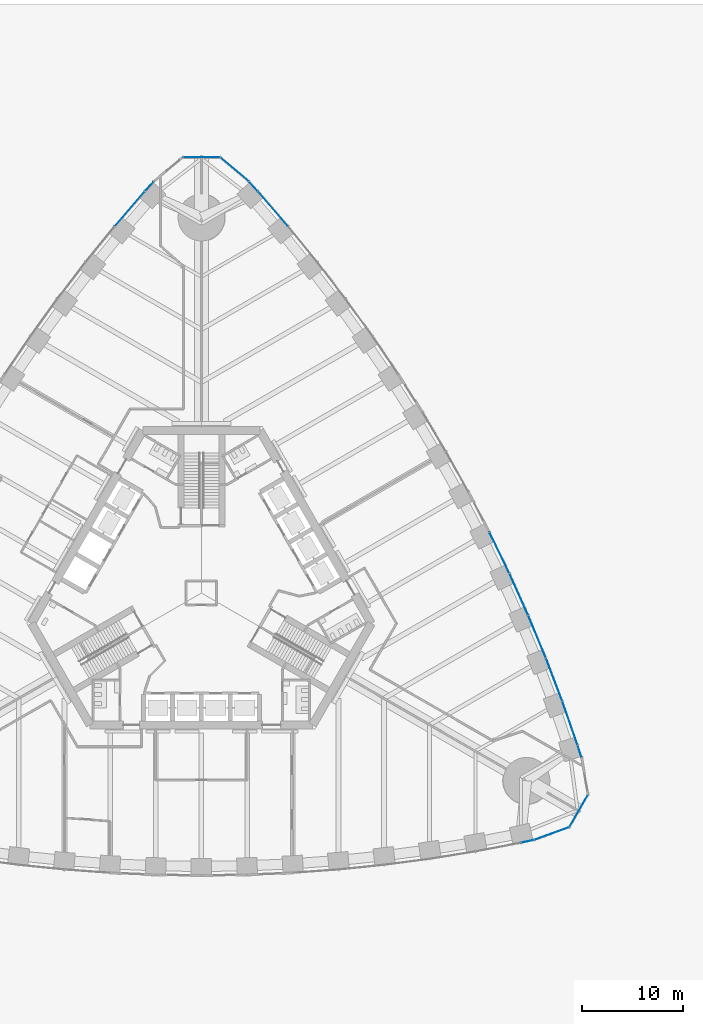
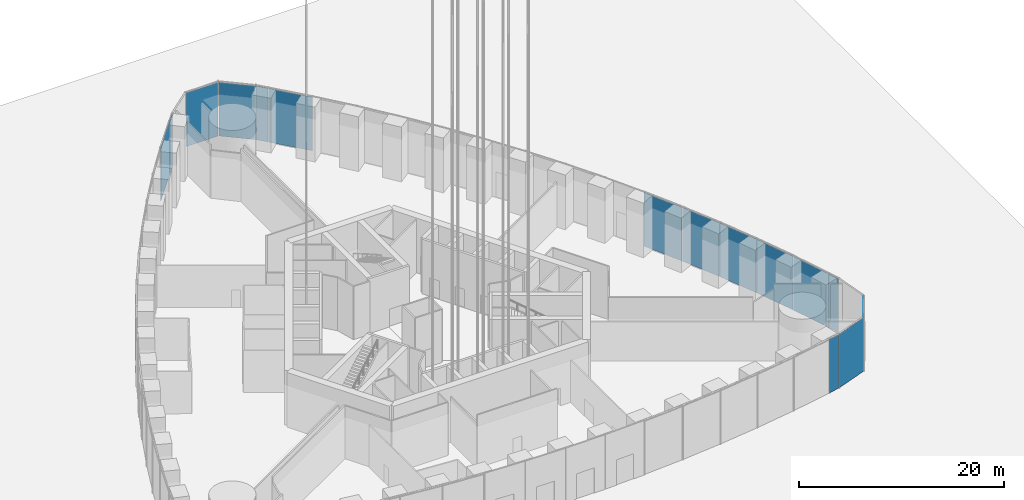
# One storey, part 15 of 43: 15 plates, 6 elements without a shape of their own.
"""IFC4 building model written with IfcOpenShell, lengths in metres."""

from ifc_helpers import new_model, si_unit, direction, frame, origin, origin_2d, place, context, subcontext, project, spatial, rectangle, extrude, material, layer, layer_set, type_object, element, aggregate, save


model = new_model("IFC4")

# Units and contexts
model_context = context("Model", 3, precision=1e-05, world=origin(), true_north=direction((0.0, 1.0)))
body_context = subcontext(model_context, "Body", "Model", "MODEL_VIEW")
ifc_project = project(units=[si_unit("LENGTHUNIT", "METRE"), si_unit("AREAUNIT", "SQUARE_METRE"), si_unit("VOLUMEUNIT", "CUBIC_METRE"), si_unit("PLANEANGLEUNIT", "RADIAN"), si_unit("MASSUNIT", "GRAM", prefix="KILO")], contexts=[model_context])

# Site, building, storey
site_placement = place(None, origin())
site = spatial("IfcSite", under=ifc_project, at=site_placement, CompositionType="ELEMENT")
building_placement = place(site_placement, origin())
building = spatial("IfcBuilding", under=site, at=building_placement, Name="Trefoil Bronze Tower", CompositionType="ELEMENT")
storey_placement = place(building_placement, origin())
storey = spatial("IfcBuildingStorey", under=building, at=storey_placement, Name="L00", CompositionType="ELEMENT", Elevation=0.0)

# Curtain wall, plate
ifc_material_1 = material(Name="Tinted solar-control glass", Category="glass")
curtain_wall_type_1 = type_object("IfcCurtainWallType", Name="Bronze podium storefront curtain wall", PredefinedType="USERDEFINED", material=ifc_material_1)
curtain_wall_1_placement = place(storey_placement, origin())
curtain_wall_1 = element("IfcCurtainWall", 1, at=curtain_wall_1_placement, inside=storey, type_object=curtain_wall_type_1, Name="CW-C L00 F1 run 6", ObjectType="CURTAIN WALL", PredefinedType="USERDEFINED")
ifc_material_2 = material(Name="Tinted solar-control glass", Category="glass")
ifc_layer_1 = layer(ifc_material_2, 0.030029296875)
ifc_layer_set_1 = layer_set([ifc_layer_1], Name="Bronze podium storefront curtain wall glass panel")
plate_type_1 = type_object("IfcPlateType", Name="Bronze podium storefront curtain wall glass panel", PredefinedType="CURTAIN_PANEL", material=ifc_layer_set_1)
plate_1_placement = place(storey_placement, frame((32.15185546875, -24.480224609375, 0.0), z_axis=(0.0, 0.0, 1.0), x_axis=(0.978302717041, 0.207180582657, 0.0)))
plate_1 = element("IfcPlate", 2, at=plate_1_placement, type_object=plate_type_1, Name="CW-C L00 F1 run 6 panel 6", PredefinedType="CURTAIN_PANEL", context=body_context, shape_type="SweptSolid", body=[
    extrude(rectangle(XDim=1.23046875, YDim=0.030029296875, at=origin_2d()), origin(), (0.0, 0.0, 1.0), 6.3798828125),
])
aggregate(curtain_wall_1, [plate_1])

# Curtain wall, plates
curtain_wall_2_placement = place(storey_placement, origin())
curtain_wall_2 = element("IfcCurtainWall", 3, at=curtain_wall_2_placement, inside=storey, type_object=curtain_wall_type_1, Name="CW-C L00 F2 run 1", ObjectType="CURTAIN WALL", PredefinedType="USERDEFINED")
plate_2_placement = place(storey_placement, frame((37.2763671875, -15.604248046875, 0.0), z_axis=(0.0, 0.0, 1.0), x_axis=(-0.309727710769, 0.950825296877, 0.0)))
plate_2 = element("IfcPlate", 4, at=plate_2_placement, type_object=plate_type_1, Name="CW-C L00 F2 run 1 panel 1", PredefinedType="CURTAIN_PANEL", context=body_context, shape_type="SweptSolid", body=[
    extrude(rectangle(XDim=1.23046875, YDim=0.030029296875, at=origin_2d()), origin(), (0.0, 0.0, 1.0), 6.3798828125),
])
plate_3_placement = place(storey_placement, frame((36.3251953125, -12.824462890625, 0.0), z_axis=(0.0, 0.0, 1.0), x_axis=(-0.327673732984, 0.944790942332, 0.0)))
plate_3 = element("IfcPlate", 5, at=plate_3_placement, type_object=plate_type_1, Name="CW-C L00 F2 run 1 panel 2", PredefinedType="CURTAIN_PANEL", context=body_context, shape_type="SweptSolid", body=[
    extrude(rectangle(XDim=4.522216796875, YDim=0.030029296875, at=origin_2d()), origin(), (0.0, 0.0, 1.0), 6.3798828125),
])
plate_4_placement = place(storey_placement, frame((34.763427734375, -8.526611328125, 0.0), z_axis=(0.0, 0.0, 1.0), x_axis=(-0.355370585687, 0.934725492767, 0.0)))
plate_4 = element("IfcPlate", 6, at=plate_4_placement, type_object=plate_type_1, Name="CW-C L00 F2 run 1 panel 3", PredefinedType="CURTAIN_PANEL", context=body_context, shape_type="SweptSolid", body=[
    extrude(rectangle(XDim=4.49853515625, YDim=0.030029296875, at=origin_2d()), origin(), (0.0, 0.0, 1.0), 6.3798828125),
])
plate_5_placement = place(storey_placement, frame((33.084228515625, -4.296630859375, 0.0), z_axis=(0.0, 0.0, 1.0), x_axis=(-0.382629580712, 0.923901836758, 0.0)))
plate_5 = element("IfcPlate", 7, at=plate_5_placement, type_object=plate_type_1, Name="CW-C L00 F2 run 1 panel 4", PredefinedType="CURTAIN_PANEL", context=body_context, shape_type="SweptSolid", body=[
    extrude(rectangle(XDim=4.478759765625, YDim=0.030029296875, at=origin_2d()), origin(), (0.0, 0.0, 1.0), 6.3798828125),
])
plate_6_placement = place(storey_placement, frame((31.28857421875, -0.1337890625, 0.0), z_axis=(0.0, 0.0, 1.0), x_axis=(-0.40945635808, 0.912329705111, 0.0)))
plate_6 = element("IfcPlate", 8, at=plate_6_placement, type_object=plate_type_1, Name="CW-C L00 F2 run 1 panel 5", PredefinedType="CURTAIN_PANEL", context=body_context, shape_type="SweptSolid", body=[
    extrude(rectangle(XDim=4.46337890625, YDim=0.030029296875, at=origin_2d()), origin(), (0.0, 0.0, 1.0), 6.3798828125),
])
plate_7_placement = place(storey_placement, frame((29.3779296875, 3.962646484375, 0.0), z_axis=(0.0, 0.0, 1.0), x_axis=(-0.4358553457, 0.900016731858, 0.0)))
plate_7 = element("IfcPlate", 9, at=plate_7_placement, type_object=plate_type_1, Name="CW-C L00 F2 run 1 panel 6", PredefinedType="CURTAIN_PANEL", context=body_context, shape_type="SweptSolid", body=[
    extrude(rectangle(XDim=4.451904296875, YDim=0.030029296875, at=origin_2d()), origin(), (0.0, 0.0, 1.0), 6.3798828125),
])
aggregate(curtain_wall_2, [plate_2, plate_3, plate_4, plate_5, plate_6, plate_7])

curtain_wall_3_placement = place(storey_placement, origin())
curtain_wall_3 = element("IfcCurtainWall", 10, at=curtain_wall_3_placement, inside=storey, type_object=curtain_wall_type_1, Name="CW-C L00 F2 run 5", ObjectType="CURTAIN WALL", PredefinedType="USERDEFINED")
plate_8_placement = place(storey_placement, frame((7.056396484375, 37.870849609375, 0.0), z_axis=(0.0, 0.0, 1.0), x_axis=(-0.654376090833, 0.756169248083, 0.0)))
plate_8 = element("IfcPlate", 11, at=plate_8_placement, type_object=plate_type_1, Name="CW-C L00 F2 run 5 panel 5", PredefinedType="CURTAIN_PANEL", context=body_context, shape_type="SweptSolid", body=[
    extrude(rectangle(XDim=4.522216796875, YDim=0.030029296875, at=origin_2d()), origin(), (0.0, 0.0, 1.0), 6.3798828125),
])
plate_9_placement = place(storey_placement, frame((5.12451171875, 40.08447265625, 0.0), z_axis=(0.0, 0.0, 1.0), x_axis=(-0.668575006272, 0.743644714221, 0.0)))
plate_9 = element("IfcPlate", 12, at=plate_9_placement, type_object=plate_type_1, Name="CW-C L00 F2 run 5 panel 6", PredefinedType="CURTAIN_PANEL", context=body_context, shape_type="SweptSolid", body=[
    extrude(rectangle(XDim=1.23046875, YDim=0.030029296875, at=origin_2d()), origin(), (0.0, 0.0, 1.0), 6.3798828125),
])
aggregate(curtain_wall_3, [plate_8, plate_9])

curtain_wall_4_placement = place(storey_placement, origin())
curtain_wall_4 = element("IfcCurtainWall", 13, at=curtain_wall_4_placement, inside=storey, type_object=curtain_wall_type_1, Name="CW-C L00 F3 run 1", ObjectType="CURTAIN WALL", PredefinedType="USERDEFINED")
plate_10_placement = place(storey_placement, frame((-5.12451171875, 40.08447265625, 0.0), z_axis=(0.0, 0.0, 1.0), x_axis=(-0.668575006272, -0.743644714221, 0.0)))
plate_10 = element("IfcPlate", 14, at=plate_10_placement, type_object=plate_type_1, Name="CW-C L00 F3 run 1 panel 1", PredefinedType="CURTAIN_PANEL", context=body_context, shape_type="SweptSolid", body=[
    extrude(rectangle(XDim=1.23046875, YDim=0.030029296875, at=origin_2d()), origin(), (0.0, 0.0, 1.0), 6.3798828125),
])
plate_11_placement = place(storey_placement, frame((-7.056396484375, 37.870849609375, 0.0), z_axis=(0.0, 0.0, 1.0), x_axis=(-0.654376090833, -0.756169248083, 0.0)))
plate_11 = element("IfcPlate", 15, at=plate_11_placement, type_object=plate_type_1, Name="CW-C L00 F3 run 1 panel 2", PredefinedType="CURTAIN_PANEL", context=body_context, shape_type="SweptSolid", body=[
    extrude(rectangle(XDim=4.522216796875, YDim=0.030029296875, at=origin_2d()), origin(), (0.0, 0.0, 1.0), 6.3798828125),
])
aggregate(curtain_wall_4, [plate_10, plate_11])

ifc_material_3 = material(Name="Tinted solar-control glass", Category="glass")
curtain_wall_type_2 = type_object("IfcCurtainWallType", Name="Bronze rounded corner curtain wall", PredefinedType="USERDEFINED", material=ifc_material_3)
curtain_wall_5_placement = place(storey_placement, origin())
curtain_wall_5 = element("IfcCurtainWall", 16, at=curtain_wall_5_placement, inside=storey, type_object=curtain_wall_type_2, Name="CW-B L00 K1 run 1", ObjectType="CURTAIN WALL", PredefinedType="USERDEFINED")
ifc_material_4 = material(Name="Tinted solar-control glass", Category="glass")
ifc_layer_2 = layer(ifc_material_4, 0.030029296875)
ifc_layer_set_2 = layer_set([ifc_layer_2], Name="Bronze rounded corner curtain wall glass panel")
plate_type_2 = type_object("IfcPlateType", Name="Bronze rounded corner curtain wall glass panel", PredefinedType="CURTAIN_PANEL", material=ifc_layer_set_2)
plate_12_placement = place(storey_placement, frame((34.5107421875, -23.71875, 0.0), z_axis=(0.0, 0.0, 1.0), x_axis=(0.939692620786, 0.342020143326, 0.0)))
plate_12 = element("IfcPlate", 17, at=plate_12_placement, type_object=plate_type_2, Name="CW-B L00 K1 run 1 panel 1", PredefinedType="CURTAIN_PANEL", context=body_context, shape_type="SweptSolid", body=[
    extrude(rectangle(XDim=3.588134765625, YDim=0.030029296875, at=origin_2d()), origin(), (0.0, 0.0, 1.0), 6.3798828125),
])
plate_13_placement = place(storey_placement, frame((37.189208984375, -21.47119140625, 0.0), z_axis=(0.0, 0.0, 1.0), x_axis=(0.5, 0.866025403784, 0.0)))
plate_13 = element("IfcPlate", 18, at=plate_13_placement, type_object=plate_type_2, Name="CW-B L00 K1 run 1 panel 2", PredefinedType="CURTAIN_PANEL", context=body_context, shape_type="SweptSolid", body=[
    extrude(rectangle(XDim=3.588134765625, YDim=0.030029296875, at=origin_2d()), origin(), (0.0, 0.0, 1.0), 6.3798828125),
])
aggregate(curtain_wall_5, [plate_12, plate_13])

curtain_wall_6_placement = place(storey_placement, origin())
curtain_wall_6 = element("IfcCurtainWall", 19, at=curtain_wall_6_placement, inside=storey, type_object=curtain_wall_type_2, Name="CW-B L00 K2 run 1", ObjectType="CURTAIN WALL", PredefinedType="USERDEFINED")
plate_14_placement = place(storey_placement, frame((3.28564453125, 41.74658203125, 0.0), z_axis=(0.0, 0.0, 1.0), x_axis=(-0.766044443119, 0.642787609687, 0.0)))
plate_14 = element("IfcPlate", 20, at=plate_14_placement, type_object=plate_type_2, Name="CW-B L00 K2 run 1 panel 1", PredefinedType="CURTAIN_PANEL", context=body_context, shape_type="SweptSolid", body=[
    extrude(rectangle(XDim=3.588134765625, YDim=0.030029296875, at=origin_2d()), origin(), (0.0, 0.0, 1.0), 6.3798828125),
])
plate_15_placement = place(storey_placement, frame((0.0, 42.9423828125, 0.0), z_axis=(0.0, 0.0, 1.0), x_axis=(-1.0, 0.0, 0.0)))
plate_15 = element("IfcPlate", 21, at=plate_15_placement, type_object=plate_type_2, Name="CW-B L00 K2 run 1 panel 2", PredefinedType="CURTAIN_PANEL", context=body_context, shape_type="SweptSolid", body=[
    extrude(rectangle(XDim=3.588134765625, YDim=0.030029296875, at=origin_2d()), origin(), (0.0, 0.0, 1.0), 6.3798828125),
])
aggregate(curtain_wall_6, [plate_14, plate_15])

save(model, "model.ifc")
